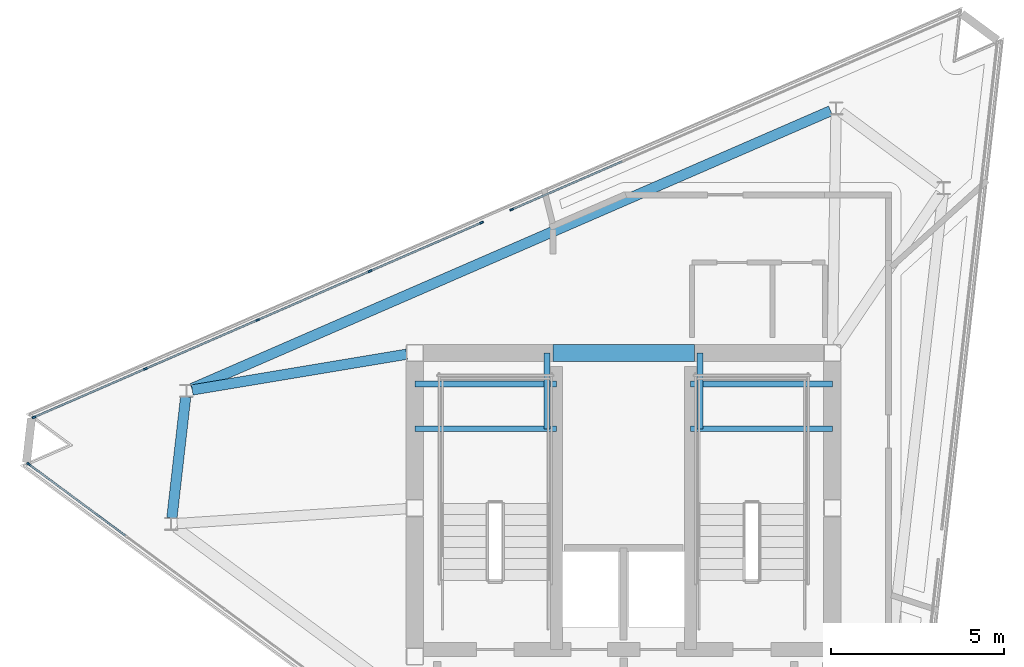
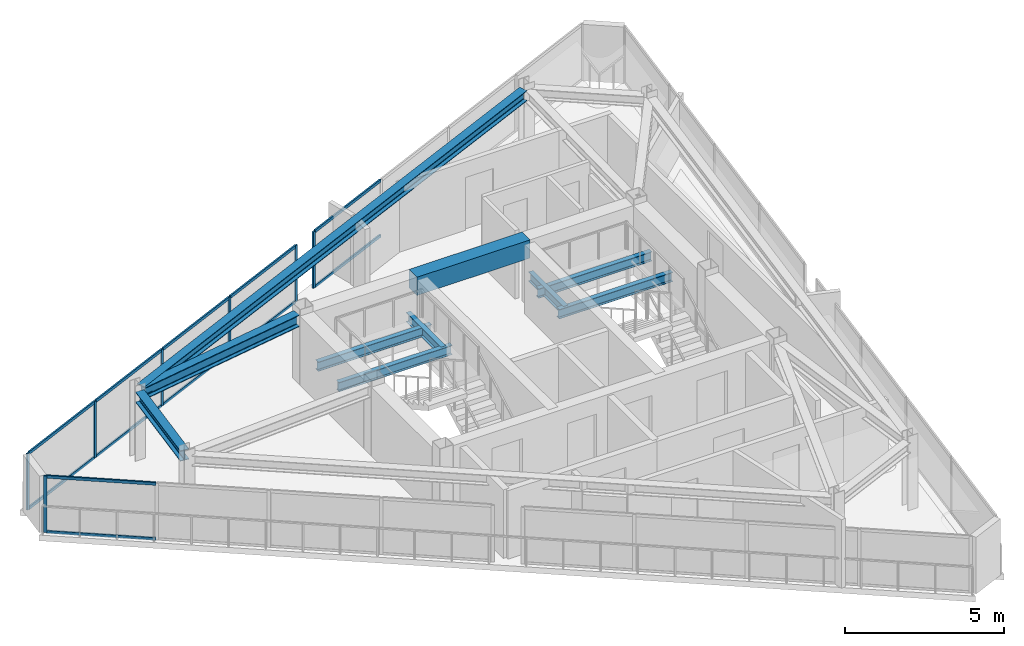
# One storey, part 4 of 9: 19 members, 10 beams, 3 elements without a shape of their own.
"""IFC4 building model written with IfcOpenShell, lengths in metres."""

from ifc_helpers import new_model, si_unit, direction, frame, origin, origin_2d, place, context, subcontext, project, spatial, rectangle, i_section, extrude, material, layer, layer_set, material_profile, profile_set, type_object, element, aggregate, save


model = new_model("IFC4")

# Units and contexts
model_context = context("Model", 3, precision=1e-05, world=origin(), true_north=direction((0.0, 1.0)))
body_context = subcontext(model_context, "Body", "Model", "MODEL_VIEW")
ifc_project = project(units=[si_unit("LENGTHUNIT", "METRE"), si_unit("AREAUNIT", "SQUARE_METRE"), si_unit("VOLUMEUNIT", "CUBIC_METRE"), si_unit("PLANEANGLEUNIT", "RADIAN"), si_unit("MASSUNIT", "GRAM", prefix="KILO")], contexts=[model_context])

# Site, building, storey
site_placement = place(None, origin())
site = spatial("IfcSite", under=ifc_project, at=site_placement, CompositionType="ELEMENT")
building_placement = place(site_placement, origin())
building = spatial("IfcBuilding", under=site, at=building_placement, Name="Rocaltana Carrier Exchange", CompositionType="ELEMENT")
storey_placement = place(building_placement, frame((0.0, 0.0, 249.1201171875)))
storey = spatial("IfcBuildingStorey", under=building, at=storey_placement, Name="L79", CompositionType="ELEMENT", Elevation=249.1201171875)

# Curtain wall, member
ifc_material_1 = material(Name="Aluminium 6063-T6", Category="aluminium")
ifc_layer = layer(ifc_material_1, 0.110107421875)
ifc_layer_set = layer_set([ifc_layer], Name="Aluminium 6063-T6")
curtain_wall_type = type_object("IfcCurtainWallType", Name="Crown Lantern Faceted Curtain Wall CW-06", PredefinedType="NOTDEFINED", material=ifc_layer_set)
curtain_wall_1_placement = place(storey_placement, origin())
curtain_wall_1 = element("IfcCurtainWall", 1, at=curtain_wall_1_placement, inside=storey, type_object=curtain_wall_type, Name="L79 CW-06 Run CW06-L79-F2S1", PredefinedType="NOTDEFINED")
ifc_material_2 = material(Name="Aluminium 6063-T6", Category="aluminium")
ifc_material_profile_1 = material_profile(ifc_material_2, rectangle(XDim=0.054931640625, YDim=0.110107421875, at=origin_2d()), Name="AL-55X110")
ifc_profile_set_1 = profile_set([ifc_material_profile_1], Name="Aluminium 6063-T6")
member_type_1 = type_object("IfcMemberType", Name="CW-06 Mullion AL-55X110", PredefinedType="MULLION", material=ifc_profile_set_1)
member_1_placement = place(storey_placement, frame((-3.242919921875, 8.655517578125, 0.0), z_axis=(0.0, 0.0, 1.0), x_axis=(0.398751604325, -0.917058971958, 0.0)))
member_1 = element("IfcMember", 2, at=member_1_placement, type_object=member_type_1, Name="CW-06 mullion 5", PredefinedType="MULLION", context=body_context, shape_type="SweptSolid", body=[
    extrude(rectangle(XDim=0.054931640625, YDim=0.110107421875, at=origin_2d()), origin(), (0.0, 0.0, 1.0), 2.16796875),
])

# Curtain wall, members
curtain_wall_2_placement = place(storey_placement, origin())
curtain_wall_2 = element("IfcCurtainWall", 3, at=curtain_wall_2_placement, inside=storey, type_object=curtain_wall_type, Name="L79 CW-06 Run CW06-L79-F2S2", PredefinedType="NOTDEFINED")
member_2_placement = place(storey_placement, frame((-4.11865234375, 8.27490234375, 0.0), z_axis=(0.0, 0.0, 1.0), x_axis=(0.398754179529, -0.917057852215, 0.0)))
member_2 = element("IfcMember", 4, at=member_2_placement, type_object=member_type_1, Name="CW-06 mullion 1", PredefinedType="MULLION", context=body_context, shape_type="SweptSolid", body=[
    extrude(rectangle(XDim=0.054931640625, YDim=0.110107421875, at=origin_2d()), origin(), (0.0, 0.0, 1.0), 2.16796875),
])
member_3_placement = place(storey_placement, frame((-7.34912109375, 6.8701171875, 0.0), z_axis=(0.0, 0.0, 1.0), x_axis=(0.398754179529, -0.917057852215, 0.0)))
member_3 = element("IfcMember", 5, at=member_3_placement, type_object=member_type_1, Name="CW-06 mullion 2", PredefinedType="MULLION", context=body_context, shape_type="SweptSolid", body=[
    extrude(rectangle(XDim=0.054931640625, YDim=0.110107421875, at=origin_2d()), origin(), (0.0, 0.0, 1.0), 2.16796875),
])
member_4_placement = place(storey_placement, frame((-10.6044921875, 5.45458984375, 0.0), z_axis=(0.0, 0.0, 1.0), x_axis=(0.398754179529, -0.917057852215, 0.0)))
member_4 = element("IfcMember", 6, at=member_4_placement, type_object=member_type_1, Name="CW-06 mullion 3", PredefinedType="MULLION", context=body_context, shape_type="SweptSolid", body=[
    extrude(rectangle(XDim=0.054931640625, YDim=0.110107421875, at=origin_2d()), origin(), (0.0, 0.0, 1.0), 2.16796875),
])
member_5_placement = place(storey_placement, frame((-13.860107421875, 4.0390625, 0.0), z_axis=(0.0, 0.0, 1.0), x_axis=(0.398754179529, -0.917057852215, 0.0)))
member_5 = element("IfcMember", 7, at=member_5_placement, type_object=member_type_1, Name="CW-06 mullion 4", PredefinedType="MULLION", context=body_context, shape_type="SweptSolid", body=[
    extrude(rectangle(XDim=0.054931640625, YDim=0.110107421875, at=origin_2d()), origin(), (0.0, 0.0, 1.0), 2.16796875),
])
member_6_placement = place(storey_placement, frame((-17.090576171875, 2.634521484375, 0.0), z_axis=(0.0, 0.0, 1.0), x_axis=(0.398754179529, -0.917057852215, 0.0)))
member_6 = element("IfcMember", 8, at=member_6_placement, type_object=member_type_1, Name="CW-06 mullion 5", PredefinedType="MULLION", context=body_context, shape_type="SweptSolid", body=[
    extrude(rectangle(XDim=0.054931640625, YDim=0.110107421875, at=origin_2d()), origin(), (0.0, 0.0, 1.0), 2.16796875),
])

# Curtain wall, member
curtain_wall_3_placement = place(storey_placement, origin())
curtain_wall_3 = element("IfcCurtainWall", 9, at=curtain_wall_3_placement, inside=storey, type_object=curtain_wall_type, Name="L79 CW-06 Run CW06-L79-F3S1", PredefinedType="NOTDEFINED")
member_7_placement = place(storey_placement, frame((-17.2451171875, 1.277587890625, 0.0), z_axis=(0.0, 0.0, 1.0), x_axis=(0.594822437307, 0.803857119192, 0.0)))
member_7 = element("IfcMember", 10, at=member_7_placement, type_object=member_type_1, Name="CW-06 mullion 1", PredefinedType="MULLION", context=body_context, shape_type="SweptSolid", body=[
    extrude(rectangle(XDim=0.054931640625, YDim=0.110107421875, at=origin_2d()), origin(), (0.0, 0.0, 1.0), 2.16796875),
])

# Member
ifc_material_3 = material(Name="Aluminium 6063-T6", Category="aluminium")
ifc_material_profile_2 = material_profile(ifc_material_3, rectangle(XDim=0.054931640625, YDim=0.110107421875, at=origin_2d()), Name="AL-55X110")
ifc_profile_set_2 = profile_set([ifc_material_profile_2], Name="Aluminium 6063-T6")
member_type_2 = type_object("IfcMemberType", Name="CW-06 Transom AL-55X110", PredefinedType="USERDEFINED", material=ifc_profile_set_2)
member_8_placement = place(storey_placement, frame((-0.037841796875, 10.04931640625, 0.02734375), z_axis=(-0.917045428999, -0.398782749317, 0.0), x_axis=(0.398782749317, -0.917045428999, 0.0)))
member_8 = element("IfcMember", 11, at=member_8_placement, type_object=member_type_2, Name="CW-06 transom 4.1", ObjectType="TRANSOM", PredefinedType="USERDEFINED", context=body_context, shape_type="SweptSolid", body=[
    extrude(rectangle(XDim=0.054931640625, YDim=0.110107421875, at=origin_2d()), origin(), (0.0, 0.0, 1.0), 3.467529296875),
])

member_9_placement = place(storey_placement, frame((-0.037841796875, 10.04931640625, 2.140380859375), z_axis=(-0.917045428999, -0.398782749317, 0.0), x_axis=(0.398782749317, -0.917045428999, 0.0)))
member_9 = element("IfcMember", 12, at=member_9_placement, type_object=member_type_2, Name="CW-06 transom 4.2", ObjectType="TRANSOM", PredefinedType="USERDEFINED", context=body_context, shape_type="SweptSolid", body=[
    extrude(rectangle(XDim=0.054931640625, YDim=0.110107421875, at=origin_2d()), origin(), (0.0, 0.0, 1.0), 3.467529296875),
])

aggregate(curtain_wall_1, [member_1, member_8, member_9])

member_10_placement = place(storey_placement, frame((-4.14404296875, 8.263916015625, 0.02734375), z_axis=(-0.917034231322, -0.398808498634, 0.0), x_axis=(0.398808498634, -0.917034231322, 0.0)))
member_10 = element("IfcMember", 13, at=member_10_placement, type_object=member_type_2, Name="CW-06 transom 1.1", ObjectType="TRANSOM", PredefinedType="USERDEFINED", context=body_context, shape_type="SweptSolid", body=[
    extrude(rectangle(XDim=0.054931640625, YDim=0.110107421875, at=origin_2d()), origin(), (0.0, 0.0, 1.0), 3.46728515625),
])

member_11_placement = place(storey_placement, frame((-4.14404296875, 8.263916015625, 2.140380859375), z_axis=(-0.917034231322, -0.398808498634, 0.0), x_axis=(0.398808498634, -0.917034231322, 0.0)))
member_11 = element("IfcMember", 14, at=member_11_placement, type_object=member_type_2, Name="CW-06 transom 1.2", ObjectType="TRANSOM", PredefinedType="USERDEFINED", context=body_context, shape_type="SweptSolid", body=[
    extrude(rectangle(XDim=0.054931640625, YDim=0.110107421875, at=origin_2d()), origin(), (0.0, 0.0, 1.0), 3.46728515625),
])

member_12_placement = place(storey_placement, frame((-7.374267578125, 6.859375, 0.02734375), z_axis=(-0.917040068742, -0.398795075598, 0.0), x_axis=(0.398795075598, -0.917040068742, 0.0)))
member_12 = element("IfcMember", 15, at=member_12_placement, type_object=member_type_2, Name="CW-06 transom 2.1", ObjectType="TRANSOM", PredefinedType="USERDEFINED", context=body_context, shape_type="SweptSolid", body=[
    extrude(rectangle(XDim=0.054931640625, YDim=0.110107421875, at=origin_2d()), origin(), (0.0, 0.0, 1.0), 3.4951171875),
])

member_13_placement = place(storey_placement, frame((-7.374267578125, 6.859375, 2.140380859375), z_axis=(-0.917040068742, -0.398795075598, 0.0), x_axis=(0.398795075598, -0.917040068742, 0.0)))
member_13 = element("IfcMember", 16, at=member_13_placement, type_object=member_type_2, Name="CW-06 transom 2.2", ObjectType="TRANSOM", PredefinedType="USERDEFINED", context=body_context, shape_type="SweptSolid", body=[
    extrude(rectangle(XDim=0.054931640625, YDim=0.110107421875, at=origin_2d()), origin(), (0.0, 0.0, 1.0), 3.4951171875),
])

member_14_placement = place(storey_placement, frame((-10.6298828125, 5.443603515625, 0.02734375), z_axis=(-0.917065613863, -0.398736328757, 0.0), x_axis=(0.398736328757, -0.917065613863, 0.0)))
member_14 = element("IfcMember", 17, at=member_14_placement, type_object=member_type_2, Name="CW-06 transom 3.1", ObjectType="TRANSOM", PredefinedType="USERDEFINED", context=body_context, shape_type="SweptSolid", body=[
    extrude(rectangle(XDim=0.054931640625, YDim=0.110107421875, at=origin_2d()), origin(), (0.0, 0.0, 1.0), 3.494873046875),
])

member_15_placement = place(storey_placement, frame((-10.6298828125, 5.443603515625, 2.140380859375), z_axis=(-0.917065613863, -0.398736328757, 0.0), x_axis=(0.398736328757, -0.917065613863, 0.0)))
member_15 = element("IfcMember", 18, at=member_15_placement, type_object=member_type_2, Name="CW-06 transom 3.2", ObjectType="TRANSOM", PredefinedType="USERDEFINED", context=body_context, shape_type="SweptSolid", body=[
    extrude(rectangle(XDim=0.054931640625, YDim=0.110107421875, at=origin_2d()), origin(), (0.0, 0.0, 1.0), 3.494873046875),
])

member_16_placement = place(storey_placement, frame((-13.88525390625, 4.028076171875, 0.02734375), z_axis=(-0.917071175622, -0.398723536856, 0.0), x_axis=(0.398723536856, -0.917071175622, 0.0)))
member_16 = element("IfcMember", 19, at=member_16_placement, type_object=member_type_2, Name="CW-06 transom 4.1", ObjectType="TRANSOM", PredefinedType="USERDEFINED", context=body_context, shape_type="SweptSolid", body=[
    extrude(rectangle(XDim=0.054931640625, YDim=0.110107421875, at=origin_2d()), origin(), (0.0, 0.0, 1.0), 3.467529296875),
])

member_17_placement = place(storey_placement, frame((-13.88525390625, 4.028076171875, 2.140380859375), z_axis=(-0.917071175622, -0.398723536856, 0.0), x_axis=(0.398723536856, -0.917071175622, 0.0)))
member_17 = element("IfcMember", 20, at=member_17_placement, type_object=member_type_2, Name="CW-06 transom 4.2", ObjectType="TRANSOM", PredefinedType="USERDEFINED", context=body_context, shape_type="SweptSolid", body=[
    extrude(rectangle(XDim=0.054931640625, YDim=0.110107421875, at=origin_2d()), origin(), (0.0, 0.0, 1.0), 3.467529296875),
])

aggregate(curtain_wall_2, [member_2, member_3, member_4, member_5, member_6, member_10, member_11, member_12, member_13, member_14, member_15, member_16, member_17])

member_18_placement = place(storey_placement, frame((-17.222900390625, 1.26123046875, 0.02734375), z_axis=(0.80386142553, -0.594816617577, 0.0), x_axis=(0.594816617577, 0.80386142553, 0.0)))
member_18 = element("IfcMember", 21, at=member_18_placement, type_object=member_type_2, Name="CW-06 transom 1.1", ObjectType="TRANSOM", PredefinedType="USERDEFINED", context=body_context, shape_type="SweptSolid", body=[
    extrude(rectangle(XDim=0.054931640625, YDim=0.110107421875, at=origin_2d()), origin(), (0.0, 0.0, 1.0), 3.467529296875),
])

member_19_placement = place(storey_placement, frame((-17.222900390625, 1.26123046875, 2.140380859375), z_axis=(0.80386142553, -0.594816617577, 0.0), x_axis=(0.594816617577, 0.80386142553, 0.0)))
member_19 = element("IfcMember", 22, at=member_19_placement, type_object=member_type_2, Name="CW-06 transom 1.2", ObjectType="TRANSOM", PredefinedType="USERDEFINED", context=body_context, shape_type="SweptSolid", body=[
    extrude(rectangle(XDim=0.054931640625, YDim=0.110107421875, at=origin_2d()), origin(), (0.0, 0.0, 1.0), 3.467529296875),
])

aggregate(curtain_wall_3, [member_7, member_18, member_19])

# Beams
ifc_material_4 = material(Name="Concrete C60/75", Category="concrete")
ifc_material_profile_3 = material_profile(ifc_material_4, rectangle(XDim=0.5, YDim=0.699951171875, at=origin_2d()), Name="RC-BM-500X700")
ifc_profile_set_3 = profile_set([ifc_material_profile_3], Name="Concrete C60/75")
beam_type_1 = type_object("IfcBeamType", Name="Core Coupling Lintel 500x700", PredefinedType="LINTEL", material=ifc_profile_set_3)
beam_1_placement = place(storey_placement, frame((-2.050048828125, 4.5, 2.2978515625), z_axis=(1.0, 0.0, 0.0), x_axis=(0.0, 1.0, 0.0)))
element("IfcBeam", 23, at=beam_1_placement, inside=storey, type_object=beam_type_1, Name="L79 Core Coupling Lintel CL-N", PredefinedType="LINTEL", context=body_context, shape_type="SweptSolid", body=[
    extrude(rectangle(XDim=0.5, YDim=0.699951171875, at=origin_2d()), origin(), (0.0, 0.0, 1.0), 4.10009765625),
])
ifc_material_5 = material(Name="Steel S460", Category="steel")
ifc_material_profile_4 = material_profile(ifc_material_5, i_section(OverallWidth=0.300048828125, OverallDepth=0.449951171875, WebThickness=0.013916015625, FlangeThickness=0.02587890625, FilletRadius=0.027099609375, at=origin_2d()), Name="HEB450")
ifc_profile_set_4 = profile_set([ifc_material_profile_4], Name="Steel S460")
beam_type_2 = type_object("IfcBeamType", Name="Crown Frame Rafter HEB450", PredefinedType="BEAM", material=ifc_profile_set_4)
beam_2_placement = place(storey_placement, frame((-6.288818359375, 4.460205078125, 2.4228515625), z_axis=(-0.986396018954, -0.164386416079, 0.0), x_axis=(0.164386416079, -0.986396018954, 0.0)))
element("IfcBeam", 24, at=beam_2_placement, inside=storey, type_object=beam_type_2, Name="CRG-RAD-L79-04", PredefinedType="BEAM", context=body_context, shape_type="SweptSolid", body=[
    extrude(i_section(OverallWidth=0.300048828125, OverallDepth=0.449951171875, WebThickness=0.013916015625, FlangeThickness=0.02587890625, FilletRadius=0.027099609375, at=origin_2d()), origin(), (0.0, 0.0, 1.0), 6.298583984375),
])
ifc_material_6 = material(Name="Steel S460", Category="steel")
ifc_material_profile_5 = material_profile(ifc_material_6, i_section(OverallWidth=0.300048828125, OverallDepth=0.39990234375, WebThickness=0.013427734375, FlangeThickness=0.02392578125, FilletRadius=0.027099609375, at=origin_2d()), Name="HEB400")
ifc_profile_set_5 = profile_set([ifc_material_profile_5], Name="Steel S460")
beam_type_3 = type_object("IfcBeamType", Name="Crown Ring Beam HEB400", PredefinedType="BEAM", material=ifc_profile_set_5)
beam_3_placement = place(storey_placement, frame((5.999755859375, 11.515380859375, 2.447998046875), z_axis=(-0.917063134641, -0.398742030744, 0.0), x_axis=(0.398742030744, -0.917063134641, 0.0)))
element("IfcBeam", 25, at=beam_3_placement, inside=storey, type_object=beam_type_3, Name="CRG-RING-L79-03", PredefinedType="BEAM", context=body_context, shape_type="SweptSolid", body=[
    extrude(i_section(OverallWidth=0.300048828125, OverallDepth=0.39990234375, WebThickness=0.013427734375, FlangeThickness=0.02392578125, FilletRadius=0.027099609375, at=origin_2d()), origin(), (0.0, 0.0, 1.0), 20.18798828125),
])
beam_4_placement = place(storey_placement, frame((-12.693115234375, 3.223388671875, 2.447998046875), z_axis=(-0.11317028036, -0.993575607412, 0.0), x_axis=(0.993575607412, -0.11317028036, 0.0)))
element("IfcBeam", 26, at=beam_4_placement, inside=storey, type_object=beam_type_3, Name="CRG-RING-L79-04", PredefinedType="BEAM", context=body_context, shape_type="SweptSolid", body=[
    extrude(i_section(OverallWidth=0.300048828125, OverallDepth=0.39990234375, WebThickness=0.013427734375, FlangeThickness=0.02392578125, FilletRadius=0.027099609375, at=origin_2d()), origin(), (0.0, 0.0, 1.0), 3.531494140625),
])
ifc_material_7 = material(Name="Steel S355", Category="steel")
ifc_material_profile_6 = material_profile(ifc_material_7, i_section(OverallWidth=0.172119140625, OverallDepth=0.35791015625, WebThickness=0.0078125, FlangeThickness=0.01318359375, FilletRadius=0.011962890625, at=origin_2d()), Name="W14X38")
ifc_profile_set_6 = profile_set([ifc_material_profile_6], Name="Steel S355")
beam_type_4 = type_object("IfcBeamType", Name="Floor Joist W14X38", PredefinedType="JOIST", material=ifc_profile_set_6)
for number, where, z_axis, x_axis, name in (
    (27, (-6.050048828125, 2.300048828125, 1.060791015625), (1.0, 0.0, 0.0), (0.0, 1.0, 0.0), "L79 ST-1 Landing Carrier 1"),
    (28, (1.93994140625, 2.300048828125, 1.060791015625), (1.0, 0.0, 0.0), (0.0, 1.0, 0.0), "L79 ST-2 Landing Carrier 1"),
    (29, (-6.050048828125, 3.60009765625, 1.060791015625), (1.0, 0.0, 0.0), (0.0, 1.0, 0.0), "L79 ST-1 Landing Carrier 2"),
    (30, (1.93994140625, 3.60009765625, 1.060791015625), (1.0, 0.0, 0.0), (0.0, 1.0, 0.0), "L79 ST-2 Landing Carrier 2"),
):
    element("IfcBeam", number, at=place(storey_placement, frame(where, z_axis=z_axis, x_axis=x_axis)), inside=storey, type_object=beam_type_4, Name=name, PredefinedType="JOIST", context=body_context, shape_type="SweptSolid", body=[
        extrude(i_section(OverallWidth=0.172119140625, OverallDepth=0.35791015625, WebThickness=0.0078125, FlangeThickness=0.01318359375, FilletRadius=0.011962890625, at=origin_2d()), origin(), (0.0, 0.0, 1.0), 4.110107421875),
    ])
for number, where, z_axis, x_axis, name in (
    (31, (-2.219970703125, 2.300048828125, 1.060791015625), (0.0, 1.0, 0.0), (-1.0, 0.0, 0.0), "L79 ST-1 Landing Cross Trimmer"),
    (32, (2.219970703125, 2.300048828125, 1.060791015625), (0.0, 1.0, 0.0), (-1.0, 0.0, 0.0), "L79 ST-2 Landing Cross Trimmer"),
):
    element("IfcBeam", number, at=place(storey_placement, frame(where, z_axis=z_axis, x_axis=x_axis)), inside=storey, type_object=beam_type_4, Name=name, PredefinedType="JOIST", context=body_context, shape_type="SweptSolid", body=[
        extrude(i_section(OverallWidth=0.172119140625, OverallDepth=0.35791015625, WebThickness=0.0078125, FlangeThickness=0.01318359375, FilletRadius=0.011962890625, at=origin_2d()), origin(), (0.0, 0.0, 1.0), 2.199951171875),
    ])

save(model, "model.ifc")
